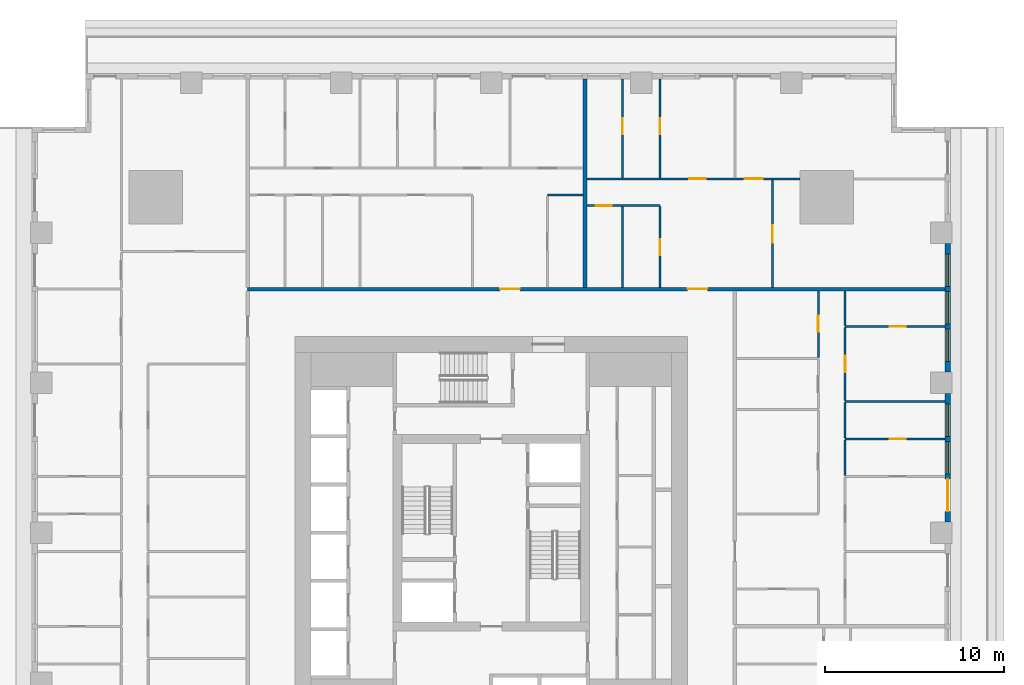
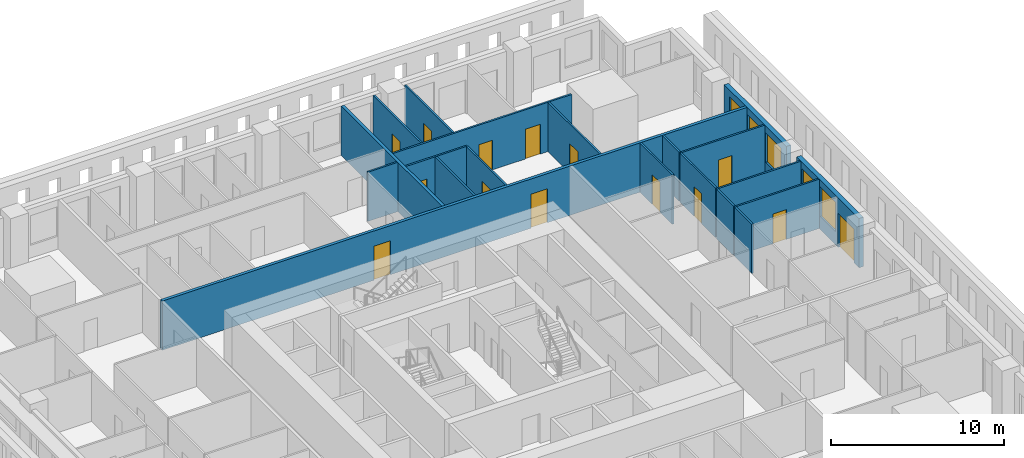
# One storey, part 9 of 15: 20 walls, 14 doors, 5 windows, 19 openings.
"""IFC4 building model written with IfcOpenShell, lengths in metres."""

from ifc_helpers import new_model, si_unit, direction, frame, frame_2d, origin, place, context, subcontext, project, spatial, rectangle, extrude, material, layer, layer_set, type_object, element, fill, save


model = new_model("IFC4")

# Units and contexts
model_context = context("Model", 3, precision=1e-05, world=origin(), true_north=direction((0.0, 1.0)))
body_context = subcontext(model_context, "Body", "Model", "MODEL_VIEW")
ifc_project = project(units=[si_unit("LENGTHUNIT", "METRE"), si_unit("AREAUNIT", "SQUARE_METRE"), si_unit("VOLUMEUNIT", "CUBIC_METRE"), si_unit("PLANEANGLEUNIT", "RADIAN"), si_unit("MASSUNIT", "GRAM", prefix="KILO")], contexts=[model_context])

# Site, building, storey
site_placement = place(None, origin())
site = spatial("IfcSite", under=ifc_project, at=site_placement, CompositionType="ELEMENT")
building_placement = place(site_placement, origin())
building = spatial("IfcBuilding", under=site, at=building_placement, Name="Khepri Terraces", CompositionType="ELEMENT")
storey_placement = place(building_placement, frame((0.0, 0.0, 30.89990234375)))
storey = spatial("IfcBuildingStorey", under=building, at=storey_placement, Name="L06", CompositionType="ELEMENT", Elevation=30.89990234375)

# Wall, openings, doors
ifc_material_1 = material(Name="Fire-rated gypsum plasterboard partition, mineral wool")
ifc_layer_1 = layer(ifc_material_1, 0.199951171875, Name="Fire-rated gypsum plasterboard partition, mineral wool")
ifc_layer_set_1 = layer_set([ifc_layer_1], Name="Fire-rated gypsum plasterboard partition, mineral wool")
wall_type_1 = type_object("IfcWallType", Name="WL-CORR-200", PredefinedType="PARTITIONING", material=ifc_layer_set_1)
wall_1_placement = place(storey_placement, frame((-13.64990234375, 13.64990234375, 0.0), z_axis=(0.0, 0.0, 1.0), x_axis=(1.0, 0.0, 0.0)))
wall_1 = element("IfcWall", 1, at=wall_1_placement, inside=storey, type_object=wall_type_1, Name="Partition P-084 L06", PredefinedType="PARTITIONING", context=body_context, shape_type="SweptSolid", body=[
    extrude(rectangle(XDim=39.06982421875, YDim=0.199951171875, at=frame_2d((19.534912109375, 0.0))), origin(), (0.0, 0.0, 1.0), 3.47998046875),
])
opening_1_placement = place(wall_1_placement, frame((24.64990234375, 0.0, 0.0)))
opening_1 = element("IfcOpeningElement", 2, at=opening_1_placement, cuts=wall_1, Name="Opening D1", PredefinedType="OPENING", context=body_context, shape_type="SweptSolid", body=[
    extrude(rectangle(XDim=1.10009765625, YDim=2.39990234375, at=frame_2d((0.550048828125, 1.199951171875))), frame((0.0, 0.10986328125, 0.0), z_axis=(0.0, -1.0, 0.0), x_axis=(1.0, 0.0, 0.0)), (0.0, 0.0, 1.0), 0.219970703125),
])
opening_2_placement = place(wall_1_placement, frame((14.14990234375, 0.0, 0.0)))
opening_2 = element("IfcOpeningElement", 3, at=opening_2_placement, cuts=wall_1, Name="Opening D1", PredefinedType="OPENING", context=body_context, shape_type="SweptSolid", body=[
    extrude(rectangle(XDim=1.10009765625, YDim=2.39990234375, at=frame_2d((0.550048828125, 1.199951171875))), frame((0.0, 0.10986328125, 0.0), z_axis=(0.0, -1.0, 0.0), x_axis=(1.0, 0.0, 0.0)), (0.0, 0.0, 1.0), 0.219970703125),
])
ifc_material_2 = material(Name="Solid-core timber door leaf, flat entrance door", Category="wood")
door_type_1 = type_object("IfcDoorType", Name="DR-ENT-1100", OperationType="NOTDEFINED", PredefinedType="DOOR", material=ifc_material_2)
door_1_placement = place(opening_1_placement, origin())
door_1 = element("IfcDoor", 4, at=door_1_placement, inside=storey, type_object=door_type_1, Name="Flat C1 entrance door", OperationType="SINGLE_SWING_RIGHT", OverallHeight=2.39990234375, OverallWidth=1.10009765625, PredefinedType="DOOR", context=body_context, shape_type="SweptSolid", body=[
    extrude(rectangle(XDim=1.10009765625, YDim=2.39990234375, at=frame_2d((0.550048828125, 1.199951171875))), frame((0.0, 0.02490234375, 0.0), z_axis=(0.0, -1.0, 0.0), x_axis=(1.0, 0.0, 0.0)), (0.0, 0.0, 1.0), 0.050048828125),
])
fill(opening_1, door_1)
door_2_placement = place(opening_2_placement, origin())
door_2 = element("IfcDoor", 5, at=door_2_placement, inside=storey, type_object=door_type_1, Name="Flat C2 entrance door", OperationType="SINGLE_SWING_LEFT", OverallHeight=2.39990234375, OverallWidth=1.10009765625, PredefinedType="DOOR", context=body_context, shape_type="SweptSolid", body=[
    extrude(rectangle(XDim=1.10009765625, YDim=2.39990234375, at=frame_2d((0.550048828125, 1.199951171875))), frame((0.0, 0.02490234375, 0.0), z_axis=(0.0, -1.0, 0.0), x_axis=(1.0, 0.0, 0.0)), (0.0, 0.0, 1.0), 0.050048828125),
])
fill(opening_2, door_2)

# Wall
wall_2_placement = place(storey_placement, frame((5.25, 13.75, 0.0), z_axis=(0.0, 0.0, 1.0), x_axis=(0.0, 1.0, 0.0)))
element("IfcWall", 6, at=wall_2_placement, inside=storey, type_object=wall_type_1, Name="Partition P-092 L06", PredefinedType="PARTITIONING", context=body_context, shape_type="SweptSolid", body=[
    extrude(rectangle(XDim=11.669921875, YDim=0.199951171875, at=frame_2d((5.8349609375, 0.0))), origin(), (0.0, 0.0, 1.0), 3.47998046875),
])

# Wall, openings, door, windows
ifc_material_3 = material(Name="Precast concrete C50/60 warm stone", Category="masonry")
ifc_layer_2 = layer(ifc_material_3, 0.300048828125, Name="Precast concrete C50/60 warm stone", Category="masonry")
ifc_layer_set_2 = layer_set([ifc_layer_2], Name="Precast concrete C50/60 warm stone")
wall_type_2 = type_object("IfcWallType", Name="WL-EXT-PRECAST-300", PredefinedType="STANDARD", material=ifc_layer_set_2)
wall_3_placement = place(storey_placement, frame((25.570068359375, 0.60009765625, 0.0), z_axis=(0.0, 0.0, 1.0), x_axis=(0.0, 1.0, 0.0)))
wall_3 = element("IfcWall", 7, at=wall_3_placement, inside=storey, type_object=wall_type_2, Name="External wall L06 E", PredefinedType="STANDARD", context=body_context, shape_type="SweptSolid", body=[
    extrude(rectangle(XDim=7.199951171875, YDim=0.300048828125, at=frame_2d((3.60009765625, 0.0))), origin(), (0.0, 0.0, 1.0), 3.47998046875),
])
opening_3_placement = place(wall_3_placement, frame((0.60009765625, 0.0, 0.0)))
opening_3 = element("IfcOpeningElement", 8, at=opening_3_placement, cuts=wall_3, Name="Opening ED-L06-05", PredefinedType="OPENING", context=body_context, shape_type="SweptSolid", body=[
    extrude(rectangle(XDim=1.800048828125, YDim=2.39990234375, at=frame_2d((0.89990234375, 1.199951171875))), frame((0.0, 0.16015625, 0.0), z_axis=(0.0, -1.0, 0.0), x_axis=(1.0, 0.0, 0.0)), (0.0, 0.0, 1.0), 0.320068359375),
])
opening_4_placement = place(wall_3_placement, frame((2.699951171875, 0.0, 0.89990234375)))
opening_4 = element("IfcOpeningElement", 9, at=opening_4_placement, cuts=wall_3, Name="Opening W1", PredefinedType="OPENING", context=body_context, shape_type="SweptSolid", body=[
    extrude(rectangle(XDim=1.800048828125, YDim=2.10009765625, at=frame_2d((0.89990234375, 1.050048828125))), frame((0.0, 0.16015625, 0.0), z_axis=(0.0, -1.0, 0.0), x_axis=(1.0, 0.0, 0.0)), (0.0, 0.0, 1.0), 0.320068359375),
])
opening_5_placement = place(wall_3_placement, frame((4.800048828125, 0.0, 0.89990234375)))
opening_5 = element("IfcOpeningElement", 10, at=opening_5_placement, cuts=wall_3, Name="Opening W1", PredefinedType="OPENING", context=body_context, shape_type="SweptSolid", body=[
    extrude(rectangle(XDim=1.800048828125, YDim=2.10009765625, at=frame_2d((0.89990234375, 1.050048828125))), frame((0.0, 0.16015625, 0.0), z_axis=(0.0, -1.0, 0.0), x_axis=(1.0, 0.0, 0.0)), (0.0, 0.0, 1.0), 0.320068359375),
])
ifc_material_4 = material(Name="Anodised aluminium bronze glazed door", Category="aluminium")
door_type_2 = type_object("IfcDoorType", Name="DR-BAL-SLIDE-1800x2400", OperationType="NOTDEFINED", PredefinedType="DOOR", material=ifc_material_4)
door_3_placement = place(opening_3_placement, origin())
door_3 = element("IfcDoor", 11, at=door_3_placement, inside=storey, type_object=door_type_2, Name="Balcony door L06 E", OperationType="SLIDING_TO_LEFT", OverallHeight=2.39990234375, OverallWidth=1.800048828125, PredefinedType="DOOR", context=body_context, shape_type="SweptSolid", body=[
    extrude(rectangle(XDim=1.800048828125, YDim=2.39990234375, at=frame_2d((0.89990234375, 1.199951171875))), frame((0.0, 0.02490234375, 0.0), z_axis=(0.0, -1.0, 0.0), x_axis=(1.0, 0.0, 0.0)), (0.0, 0.0, 1.0), 0.050048828125),
])
fill(opening_3, door_3)
ifc_material_5 = material(Name="Clear glass", Category="glass")
window_type = type_object("IfcWindowType", Name="WIN-RES-1800x2100", PartitioningType="SINGLE_PANEL", PredefinedType="WINDOW", material=ifc_material_5)
window_1_placement = place(opening_4_placement, origin())
window_1 = element("IfcWindow", 12, at=window_1_placement, inside=storey, type_object=window_type, Name="Window L06 E", OverallHeight=2.10009765625, OverallWidth=1.800048828125, PartitioningType="SINGLE_PANEL", PredefinedType="WINDOW", context=body_context, shape_type="SweptSolid", body=[
    extrude(rectangle(XDim=1.800048828125, YDim=2.10009765625, at=frame_2d((0.89990234375, 1.050048828125))), frame((0.0, 0.030029296875, 0.0), z_axis=(0.0, -1.0, 0.0), x_axis=(1.0, 0.0, 0.0)), (0.0, 0.0, 1.0), 0.06005859375),
])
fill(opening_4, window_1)
window_2_placement = place(opening_5_placement, origin())
window_2 = element("IfcWindow", 13, at=window_2_placement, inside=storey, type_object=window_type, Name="Window L06 E", OverallHeight=2.10009765625, OverallWidth=1.800048828125, PartitioningType="SINGLE_PANEL", PredefinedType="WINDOW", context=body_context, shape_type="SweptSolid", body=[
    extrude(rectangle(XDim=1.800048828125, YDim=2.10009765625, at=frame_2d((0.89990234375, 1.050048828125))), frame((0.0, 0.030029296875, 0.0), z_axis=(0.0, -1.0, 0.0), x_axis=(1.0, 0.0, 0.0)), (0.0, 0.0, 1.0), 0.06005859375),
])
fill(opening_5, window_2)

# Wall, openings, windows
wall_4_placement = place(storey_placement, frame((25.570068359375, 9.0, 0.0), z_axis=(0.0, 0.0, 1.0), x_axis=(0.0, 1.0, 0.0)))
wall_4 = element("IfcWall", 14, at=wall_4_placement, inside=storey, type_object=wall_type_2, Name="External wall L06 E", PredefinedType="STANDARD", context=body_context, shape_type="SweptSolid", body=[
    extrude(rectangle(XDim=7.199951171875, YDim=0.300048828125, at=frame_2d((3.60009765625, 0.0))), origin(), (0.0, 0.0, 1.0), 3.47998046875),
])
opening_6_placement = place(wall_4_placement, frame((0.60009765625, 0.0, 0.89990234375)))
opening_6 = element("IfcOpeningElement", 15, at=opening_6_placement, cuts=wall_4, Name="Opening W1", PredefinedType="OPENING", context=body_context, shape_type="SweptSolid", body=[
    extrude(rectangle(XDim=1.800048828125, YDim=2.10009765625, at=frame_2d((0.89990234375, 1.050048828125))), frame((0.0, 0.16015625, 0.0), z_axis=(0.0, -1.0, 0.0), x_axis=(1.0, 0.0, 0.0)), (0.0, 0.0, 1.0), 0.320068359375),
])
opening_7_placement = place(wall_4_placement, frame((2.699951171875, 0.0, 0.89990234375)))
opening_7 = element("IfcOpeningElement", 16, at=opening_7_placement, cuts=wall_4, Name="Opening W1", PredefinedType="OPENING", context=body_context, shape_type="SweptSolid", body=[
    extrude(rectangle(XDim=1.800048828125, YDim=2.10009765625, at=frame_2d((0.89990234375, 1.050048828125))), frame((0.0, 0.16015625, 0.0), z_axis=(0.0, -1.0, 0.0), x_axis=(1.0, 0.0, 0.0)), (0.0, 0.0, 1.0), 0.320068359375),
])
opening_8_placement = place(wall_4_placement, frame((4.800048828125, 0.0, 0.89990234375)))
opening_8 = element("IfcOpeningElement", 17, at=opening_8_placement, cuts=wall_4, Name="Opening W1", PredefinedType="OPENING", context=body_context, shape_type="SweptSolid", body=[
    extrude(rectangle(XDim=1.800048828125, YDim=2.10009765625, at=frame_2d((0.89990234375, 1.050048828125))), frame((0.0, 0.16015625, 0.0), z_axis=(0.0, -1.0, 0.0), x_axis=(1.0, 0.0, 0.0)), (0.0, 0.0, 1.0), 0.320068359375),
])
window_3_placement = place(opening_6_placement, origin())
window_3 = element("IfcWindow", 18, at=window_3_placement, inside=storey, type_object=window_type, Name="Window L06 E", OverallHeight=2.10009765625, OverallWidth=1.800048828125, PartitioningType="SINGLE_PANEL", PredefinedType="WINDOW", context=body_context, shape_type="SweptSolid", body=[
    extrude(rectangle(XDim=1.800048828125, YDim=2.10009765625, at=frame_2d((0.89990234375, 1.050048828125))), frame((0.0, 0.030029296875, 0.0), z_axis=(0.0, -1.0, 0.0), x_axis=(1.0, 0.0, 0.0)), (0.0, 0.0, 1.0), 0.06005859375),
])
fill(opening_6, window_3)
window_4_placement = place(opening_7_placement, origin())
window_4 = element("IfcWindow", 19, at=window_4_placement, inside=storey, type_object=window_type, Name="Window L06 E", OverallHeight=2.10009765625, OverallWidth=1.800048828125, PartitioningType="SINGLE_PANEL", PredefinedType="WINDOW", context=body_context, shape_type="SweptSolid", body=[
    extrude(rectangle(XDim=1.800048828125, YDim=2.10009765625, at=frame_2d((0.89990234375, 1.050048828125))), frame((0.0, 0.030029296875, 0.0), z_axis=(0.0, -1.0, 0.0), x_axis=(1.0, 0.0, 0.0)), (0.0, 0.0, 1.0), 0.06005859375),
])
fill(opening_7, window_4)
window_5_placement = place(opening_8_placement, origin())
window_5 = element("IfcWindow", 20, at=window_5_placement, inside=storey, type_object=window_type, Name="Window L06 E", OverallHeight=2.10009765625, OverallWidth=1.800048828125, PartitioningType="SINGLE_PANEL", PredefinedType="WINDOW", context=body_context, shape_type="SweptSolid", body=[
    extrude(rectangle(XDim=1.800048828125, YDim=2.10009765625, at=frame_2d((0.89990234375, 1.050048828125))), frame((0.0, 0.030029296875, 0.0), z_axis=(0.0, -1.0, 0.0), x_axis=(1.0, 0.0, 0.0)), (0.0, 0.0, 1.0), 0.06005859375),
])
fill(opening_8, window_5)

# Wall
ifc_material_6 = material(Name="Gypsum plasterboard partition")
ifc_layer_3 = layer(ifc_material_6, 0.1201171875, Name="Gypsum plasterboard partition")
ifc_layer_set_3 = layer_set([ifc_layer_3], Name="Gypsum plasterboard partition")
wall_type_3 = type_object("IfcWallType", Name="WL-PART-120", PredefinedType="PARTITIONING", material=ifc_layer_set_3)
wall_5_placement = place(storey_placement, frame((19.820068359375, 3.2099609375, 0.0), z_axis=(0.0, 0.0, 1.0), x_axis=(0.0, 1.0, 0.0)))
element("IfcWall", 21, at=wall_5_placement, inside=storey, type_object=wall_type_3, Name="Partition P-069 L06", PredefinedType="PARTITIONING", context=body_context, shape_type="SweptSolid", body=[
    extrude(rectangle(XDim=1.97998046875, YDim=0.1201171875, at=frame_2d((0.989990234375, 0.0))), origin(), (0.0, 0.0, 1.0), 3.47998046875),
])

# Wall, opening, door
wall_6_placement = place(storey_placement, frame((19.820068359375, 5.25, 0.0), z_axis=(0.0, 0.0, 1.0), x_axis=(1.0, 0.0, 0.0)))
wall_6 = element("IfcWall", 22, at=wall_6_placement, inside=storey, type_object=wall_type_3, Name="Partition P-070 L06", PredefinedType="PARTITIONING", context=body_context, shape_type="SweptSolid", body=[
    extrude(rectangle(XDim=5.599853515625, YDim=0.1201171875, at=frame_2d((2.7998046875, 0.0))), origin(), (0.0, 0.0, 1.0), 3.47998046875),
])
opening_9_placement = place(wall_6_placement, frame((2.5, 0.0, 0.0)))
opening_9 = element("IfcOpeningElement", 23, at=opening_9_placement, cuts=wall_6, Name="Opening D4", PredefinedType="OPENING", context=body_context, shape_type="SweptSolid", body=[
    extrude(rectangle(XDim=0.89990234375, YDim=2.10009765625, at=frame_2d((0.449951171875, 1.050048828125))), frame((0.0, 0.070068359375, 0.0), z_axis=(0.0, -1.0, 0.0), x_axis=(1.0, 0.0, 0.0)), (0.0, 0.0, 1.0), 0.14013671875),
])
ifc_material_7 = material(Name="Timber door leaf, moisture resistant", Category="wood")
door_type_3 = type_object("IfcDoorType", Name="DR-WET-900", OperationType="NOTDEFINED", PredefinedType="DOOR", material=ifc_material_7)
door_4_placement = place(opening_9_placement, origin())
door_4 = element("IfcDoor", 24, at=door_4_placement, inside=storey, type_object=door_type_3, Name="Door Bathroom", OperationType="SINGLE_SWING_RIGHT", OverallHeight=2.10009765625, OverallWidth=0.89990234375, PredefinedType="DOOR", context=body_context, shape_type="SweptSolid", body=[
    extrude(rectangle(XDim=0.89990234375, YDim=2.10009765625, at=frame_2d((0.449951171875, 1.050048828125))), frame((0.0, 0.02490234375, 0.0), z_axis=(0.0, -1.0, 0.0), x_axis=(1.0, 0.0, 0.0)), (0.0, 0.0, 1.0), 0.050048828125),
])
fill(opening_9, door_4)

# Walls
wall_7_placement = place(storey_placement, frame((19.820068359375, 5.31005859375, 0.0), z_axis=(0.0, 0.0, 1.0), x_axis=(0.0, 1.0, 0.0)))
element("IfcWall", 25, at=wall_7_placement, inside=storey, type_object=wall_type_3, Name="Partition P-071 L06", PredefinedType="PARTITIONING", context=body_context, shape_type="SweptSolid", body=[
    extrude(rectangle(XDim=1.97998046875, YDim=0.1201171875, at=frame_2d((0.989990234375, 0.0))), origin(), (0.0, 0.0, 1.0), 3.47998046875),
])
wall_8_placement = place(storey_placement, frame((19.820068359375, 7.35009765625, 0.0), z_axis=(0.0, 0.0, 1.0), x_axis=(1.0, 0.0, 0.0)))
element("IfcWall", 26, at=wall_8_placement, inside=storey, type_object=wall_type_3, Name="Partition P-074 L06", PredefinedType="PARTITIONING", context=body_context, shape_type="SweptSolid", body=[
    extrude(rectangle(XDim=5.599853515625, YDim=0.1201171875, at=frame_2d((2.7998046875, 0.0))), origin(), (0.0, 0.0, 1.0), 3.47998046875),
])

# Wall, opening, door
wall_9_placement = place(storey_placement, frame((19.820068359375, 7.409912109375, 0.0), z_axis=(0.0, 0.0, 1.0), x_axis=(0.0, 1.0, 0.0)))
wall_9 = element("IfcWall", 27, at=wall_9_placement, inside=storey, type_object=wall_type_3, Name="Partition P-075 L06", PredefinedType="PARTITIONING", context=body_context, shape_type="SweptSolid", body=[
    extrude(rectangle(XDim=4.080078125, YDim=0.1201171875, at=frame_2d((2.0400390625, 0.0))), origin(), (0.0, 0.0, 1.0), 3.47998046875),
])
opening_10_placement = place(wall_9_placement, frame((1.590087890625, 0.0, 0.0)))
opening_10 = element("IfcOpeningElement", 28, at=opening_10_placement, cuts=wall_9, Name="Opening D3", PredefinedType="OPENING", context=body_context, shape_type="SweptSolid", body=[
    extrude(rectangle(XDim=0.89990234375, YDim=2.10009765625, at=frame_2d((0.449951171875, 1.050048828125))), frame((0.0, 0.070068359375, 0.0), z_axis=(0.0, -1.0, 0.0), x_axis=(1.0, 0.0, 0.0)), (0.0, 0.0, 1.0), 0.14013671875),
])
ifc_material_8 = material(Name="Timber door leaf", Category="wood")
door_type_4 = type_object("IfcDoorType", Name="DR-INT-900", OperationType="NOTDEFINED", PredefinedType="DOOR", material=ifc_material_8)
door_5_placement = place(opening_10_placement, frame((0.89990234375, 0.0, 0.0), z_axis=(0.0, 0.0, 1.0), x_axis=(-1.0, 0.0, 0.0)))
door_5 = element("IfcDoor", 29, at=door_5_placement, inside=storey, type_object=door_type_4, Name="Door Bedroom", OperationType="SINGLE_SWING_RIGHT", OverallHeight=2.10009765625, OverallWidth=0.89990234375, PredefinedType="DOOR", context=body_context, shape_type="SweptSolid", body=[
    extrude(rectangle(XDim=0.89990234375, YDim=2.10009765625, at=frame_2d((0.449951171875, 1.050048828125))), frame((0.0, 0.02490234375, 0.0), z_axis=(0.0, -1.0, 0.0), x_axis=(1.0, 0.0, 0.0)), (0.0, 0.0, 1.0), 0.050048828125),
])
fill(opening_10, door_5)

wall_10_placement = place(storey_placement, frame((18.320068359375, 9.81005859375, 0.0), z_axis=(0.0, 0.0, 1.0), x_axis=(0.0, 1.0, 0.0)))
wall_10 = element("IfcWall", 30, at=wall_10_placement, inside=storey, type_object=wall_type_3, Name="Partition P-080 L06", PredefinedType="PARTITIONING", context=body_context, shape_type="SweptSolid", body=[
    extrude(rectangle(XDim=3.739990234375, YDim=0.1201171875, at=frame_2d((1.8701171875, 0.0))), origin(), (0.0, 0.0, 1.0), 3.47998046875),
])
opening_11_placement = place(wall_10_placement, frame((1.43994140625, 0.0, 0.0)))
opening_11 = element("IfcOpeningElement", 31, at=opening_11_placement, cuts=wall_10, Name="Opening D4", PredefinedType="OPENING", context=body_context, shape_type="SweptSolid", body=[
    extrude(rectangle(XDim=0.89990234375, YDim=2.10009765625, at=frame_2d((0.449951171875, 1.050048828125))), frame((0.0, 0.070068359375, 0.0), z_axis=(0.0, -1.0, 0.0), x_axis=(1.0, 0.0, 0.0)), (0.0, 0.0, 1.0), 0.14013671875),
])
door_6_placement = place(opening_11_placement, origin())
door_6 = element("IfcDoor", 32, at=door_6_placement, inside=storey, type_object=door_type_3, Name="Door Guest Bathroom", OperationType="SINGLE_SWING_RIGHT", OverallHeight=2.10009765625, OverallWidth=0.89990234375, PredefinedType="DOOR", context=body_context, shape_type="SweptSolid", body=[
    extrude(rectangle(XDim=0.89990234375, YDim=2.10009765625, at=frame_2d((0.449951171875, 1.050048828125))), frame((0.0, 0.02490234375, 0.0), z_axis=(0.0, -1.0, 0.0), x_axis=(1.0, 0.0, 0.0)), (0.0, 0.0, 1.0), 0.050048828125),
])
fill(opening_11, door_6)

wall_11_placement = place(storey_placement, frame((19.820068359375, 11.550048828125, 0.0), z_axis=(0.0, 0.0, 1.0), x_axis=(1.0, 0.0, 0.0)))
wall_11 = element("IfcWall", 33, at=wall_11_placement, inside=storey, type_object=wall_type_3, Name="Partition P-081 L06", PredefinedType="PARTITIONING", context=body_context, shape_type="SweptSolid", body=[
    extrude(rectangle(XDim=5.599853515625, YDim=0.1201171875, at=frame_2d((2.7998046875, 0.0))), origin(), (0.0, 0.0, 1.0), 3.47998046875),
])
opening_12_placement = place(wall_11_placement, frame((2.5, 0.0, 0.0)))
opening_12 = element("IfcOpeningElement", 34, at=opening_12_placement, cuts=wall_11, Name="Opening D4", PredefinedType="OPENING", context=body_context, shape_type="SweptSolid", body=[
    extrude(rectangle(XDim=0.89990234375, YDim=2.10009765625, at=frame_2d((0.449951171875, 1.050048828125))), frame((0.0, 0.070068359375, 0.0), z_axis=(0.0, -1.0, 0.0), x_axis=(1.0, 0.0, 0.0)), (0.0, 0.0, 1.0), 0.14013671875),
])
door_7_placement = place(opening_12_placement, origin())
door_7 = element("IfcDoor", 35, at=door_7_placement, inside=storey, type_object=door_type_3, Name="Door Bathroom", OperationType="SINGLE_SWING_RIGHT", OverallHeight=2.10009765625, OverallWidth=0.89990234375, PredefinedType="DOOR", context=body_context, shape_type="SweptSolid", body=[
    extrude(rectangle(XDim=0.89990234375, YDim=2.10009765625, at=frame_2d((0.449951171875, 1.050048828125))), frame((0.0, 0.02490234375, 0.0), z_axis=(0.0, -1.0, 0.0), x_axis=(1.0, 0.0, 0.0)), (0.0, 0.0, 1.0), 0.050048828125),
])
fill(opening_12, door_7)

# Walls
wall_12_placement = place(storey_placement, frame((19.820068359375, 11.610107421875, 0.0), z_axis=(0.0, 0.0, 1.0), x_axis=(0.0, 1.0, 0.0)))
element("IfcWall", 36, at=wall_12_placement, inside=storey, type_object=wall_type_3, Name="Partition P-082 L06", PredefinedType="PARTITIONING", context=body_context, shape_type="SweptSolid", body=[
    extrude(rectangle(XDim=1.93994140625, YDim=0.1201171875, at=frame_2d((0.969970703125, 0.0))), origin(), (0.0, 0.0, 1.0), 3.47998046875),
])
wall_13_placement = place(storey_placement, frame((7.35009765625, 13.75, 0.0), z_axis=(0.0, 0.0, 1.0), x_axis=(0.0, 1.0, 0.0)))
element("IfcWall", 37, at=wall_13_placement, inside=storey, type_object=wall_type_3, Name="Partition P-093 L06", PredefinedType="PARTITIONING", context=body_context, shape_type="SweptSolid", body=[
    extrude(rectangle(XDim=4.510009765625, YDim=0.1201171875, at=frame_2d((2.2548828125, 0.0))), origin(), (0.0, 0.0, 1.0), 3.47998046875),
])

# Wall, opening, door
wall_14_placement = place(storey_placement, frame((9.449951171875, 13.75, 0.0), z_axis=(0.0, 0.0, 1.0), x_axis=(0.0, 1.0, 0.0)))
wall_14 = element("IfcWall", 38, at=wall_14_placement, inside=storey, type_object=wall_type_3, Name="Partition P-094 L06", PredefinedType="PARTITIONING", context=body_context, shape_type="SweptSolid", body=[
    extrude(rectangle(XDim=4.510009765625, YDim=0.1201171875, at=frame_2d((2.2548828125, 0.0))), origin(), (0.0, 0.0, 1.0), 3.47998046875),
])
opening_13_placement = place(wall_14_placement, frame((1.784912109375, 0.0, 0.0)))
opening_13 = element("IfcOpeningElement", 39, at=opening_13_placement, cuts=wall_14, Name="Opening D4", PredefinedType="OPENING", context=body_context, shape_type="SweptSolid", body=[
    extrude(rectangle(XDim=0.89990234375, YDim=2.10009765625, at=frame_2d((0.449951171875, 1.050048828125))), frame((0.0, 0.070068359375, 0.0), z_axis=(0.0, -1.0, 0.0), x_axis=(1.0, 0.0, 0.0)), (0.0, 0.0, 1.0), 0.14013671875),
])
door_8_placement = place(opening_13_placement, origin())
door_8 = element("IfcDoor", 40, at=door_8_placement, inside=storey, type_object=door_type_3, Name="Door Guest Bathroom", OperationType="SINGLE_SWING_LEFT", OverallHeight=2.10009765625, OverallWidth=0.89990234375, PredefinedType="DOOR", context=body_context, shape_type="SweptSolid", body=[
    extrude(rectangle(XDim=0.89990234375, YDim=2.10009765625, at=frame_2d((0.449951171875, 1.050048828125))), frame((0.0, 0.02490234375, 0.0), z_axis=(0.0, -1.0, 0.0), x_axis=(1.0, 0.0, 0.0)), (0.0, 0.0, 1.0), 0.050048828125),
])
fill(opening_13, door_8)

wall_15_placement = place(storey_placement, frame((15.75, 13.75, 0.0), z_axis=(0.0, 0.0, 1.0), x_axis=(0.0, 1.0, 0.0)))
wall_15 = element("IfcWall", 41, at=wall_15_placement, inside=storey, type_object=wall_type_3, Name="Partition P-095 L06", PredefinedType="PARTITIONING", context=body_context, shape_type="SweptSolid", body=[
    extrude(rectangle(XDim=6.010009765625, YDim=0.1201171875, at=frame_2d((3.0048828125, 0.0))), origin(), (0.0, 0.0, 1.0), 3.47998046875),
])
opening_14_placement = place(wall_15_placement, frame((2.485107421875, 0.0, 0.0)))
opening_14 = element("IfcOpeningElement", 42, at=opening_14_placement, cuts=wall_15, Name="Opening D2", PredefinedType="OPENING", context=body_context, shape_type="SweptSolid", body=[
    extrude(rectangle(XDim=1.0, YDim=2.10009765625, at=frame_2d((0.5, 1.050048828125))), frame((0.0, 0.070068359375, 0.0), z_axis=(0.0, -1.0, 0.0), x_axis=(1.0, 0.0, 0.0)), (0.0, 0.0, 1.0), 0.14013671875),
])
ifc_material_9 = material(Name="Timber door leaf, living room door", Category="wood")
door_type_5 = type_object("IfcDoorType", Name="DR-INT-1000", OperationType="NOTDEFINED", PredefinedType="DOOR", material=ifc_material_9)
door_9_placement = place(opening_14_placement, frame((1.0, 0.0, 0.0), z_axis=(0.0, 0.0, 1.0), x_axis=(-1.0, 0.0, 0.0)))
door_9 = element("IfcDoor", 43, at=door_9_placement, inside=storey, type_object=door_type_5, Name="Door Family Room", OperationType="SINGLE_SWING_RIGHT", OverallHeight=2.10009765625, OverallWidth=1.0, PredefinedType="DOOR", context=body_context, shape_type="SweptSolid", body=[
    extrude(rectangle(XDim=1.0, YDim=2.10009765625, at=frame_2d((0.5, 1.050048828125))), frame((0.0, 0.02490234375, 0.0), z_axis=(0.0, -1.0, 0.0), x_axis=(1.0, 0.0, 0.0)), (0.0, 0.0, 1.0), 0.050048828125),
])
fill(opening_14, door_9)

wall_16_placement = place(storey_placement, frame((5.35009765625, 18.320068359375, 0.0), z_axis=(0.0, 0.0, 1.0), x_axis=(1.0, 0.0, 0.0)))
wall_16 = element("IfcWall", 44, at=wall_16_placement, inside=storey, type_object=wall_type_3, Name="Partition P-098 L06", PredefinedType="PARTITIONING", context=body_context, shape_type="SweptSolid", body=[
    extrude(rectangle(XDim=4.099853515625, YDim=0.1201171875, at=frame_2d((2.0498046875, 0.0))), origin(), (0.0, 0.0, 1.0), 3.47998046875),
])
opening_15_placement = place(wall_16_placement, frame((0.5, 0.0, 0.0)))
opening_15 = element("IfcOpeningElement", 45, at=opening_15_placement, cuts=wall_16, Name="Opening D3", PredefinedType="OPENING", context=body_context, shape_type="SweptSolid", body=[
    extrude(rectangle(XDim=0.89990234375, YDim=2.10009765625, at=frame_2d((0.449951171875, 1.050048828125))), frame((0.0, 0.070068359375, 0.0), z_axis=(0.0, -1.0, 0.0), x_axis=(1.0, 0.0, 0.0)), (0.0, 0.0, 1.0), 0.14013671875),
])
door_10_placement = place(opening_15_placement, frame((0.89990234375, 0.0, 0.0), z_axis=(0.0, 0.0, 1.0), x_axis=(-1.0, 0.0, 0.0)))
door_10 = element("IfcDoor", 46, at=door_10_placement, inside=storey, type_object=door_type_4, Name="Door Kitchen", OperationType="SINGLE_SWING_RIGHT", OverallHeight=2.10009765625, OverallWidth=0.89990234375, PredefinedType="DOOR", context=body_context, shape_type="SweptSolid", body=[
    extrude(rectangle(XDim=0.89990234375, YDim=2.10009765625, at=frame_2d((0.449951171875, 1.050048828125))), frame((0.0, 0.02490234375, 0.0), z_axis=(0.0, -1.0, 0.0), x_axis=(1.0, 0.0, 0.0)), (0.0, 0.0, 1.0), 0.050048828125),
])
fill(opening_15, door_10)

# Wall
wall_17_placement = place(storey_placement, frame((3.14990234375, 18.919921875, 0.0), z_axis=(0.0, 0.0, 1.0), x_axis=(1.0, 0.0, 0.0)))
element("IfcWall", 47, at=wall_17_placement, inside=storey, type_object=wall_type_3, Name="Partition P-100 L06", PredefinedType="PARTITIONING", context=body_context, shape_type="SweptSolid", body=[
    extrude(rectangle(XDim=2.0, YDim=0.1201171875, at=frame_2d((1.0, 0.0))), origin(), (0.0, 0.0, 1.0), 3.47998046875),
])

# Wall, openings, doors
wall_18_placement = place(storey_placement, frame((5.35009765625, 19.820068359375, 0.0), z_axis=(0.0, 0.0, 1.0), x_axis=(1.0, 0.0, 0.0)))
wall_18 = element("IfcWall", 48, at=wall_18_placement, inside=storey, type_object=wall_type_3, Name="Partition P-101 L06", PredefinedType="PARTITIONING", context=body_context, shape_type="SweptSolid", body=[
    extrude(rectangle(XDim=11.949951171875, YDim=0.1201171875, at=frame_2d((5.97509765625, 0.0))), origin(), (0.0, 0.0, 1.0), 3.47998046875),
])
opening_16_placement = place(wall_18_placement, frame((8.85009765625, 0.0, 0.0)))
opening_16 = element("IfcOpeningElement", 49, at=opening_16_placement, cuts=wall_18, Name="Opening D2", PredefinedType="OPENING", context=body_context, shape_type="SweptSolid", body=[
    extrude(rectangle(XDim=1.0, YDim=2.10009765625, at=frame_2d((0.5, 1.050048828125))), frame((0.0, 0.070068359375, 0.0), z_axis=(0.0, -1.0, 0.0), x_axis=(1.0, 0.0, 0.0)), (0.0, 0.0, 1.0), 0.14013671875),
])
opening_17_placement = place(wall_18_placement, frame((5.75, 0.0, 0.0)))
opening_17 = element("IfcOpeningElement", 50, at=opening_17_placement, cuts=wall_18, Name="Opening D3", PredefinedType="OPENING", context=body_context, shape_type="SweptSolid", body=[
    extrude(rectangle(XDim=0.89990234375, YDim=2.10009765625, at=frame_2d((0.449951171875, 1.050048828125))), frame((0.0, 0.070068359375, 0.0), z_axis=(0.0, -1.0, 0.0), x_axis=(1.0, 0.0, 0.0)), (0.0, 0.0, 1.0), 0.14013671875),
])
door_11_placement = place(opening_16_placement, origin())
door_11 = element("IfcDoor", 51, at=door_11_placement, inside=storey, type_object=door_type_5, Name="Door Sun Lounge", OperationType="SINGLE_SWING_RIGHT", OverallHeight=2.10009765625, OverallWidth=1.0, PredefinedType="DOOR", context=body_context, shape_type="SweptSolid", body=[
    extrude(rectangle(XDim=1.0, YDim=2.10009765625, at=frame_2d((0.5, 1.050048828125))), frame((0.0, 0.02490234375, 0.0), z_axis=(0.0, -1.0, 0.0), x_axis=(1.0, 0.0, 0.0)), (0.0, 0.0, 1.0), 0.050048828125),
])
fill(opening_16, door_11)
door_12_placement = place(opening_17_placement, origin())
door_12 = element("IfcDoor", 52, at=door_12_placement, inside=storey, type_object=door_type_4, Name="Door Master Bedroom", OperationType="SINGLE_SWING_RIGHT", OverallHeight=2.10009765625, OverallWidth=0.89990234375, PredefinedType="DOOR", context=body_context, shape_type="SweptSolid", body=[
    extrude(rectangle(XDim=0.89990234375, YDim=2.10009765625, at=frame_2d((0.449951171875, 1.050048828125))), frame((0.0, 0.02490234375, 0.0), z_axis=(0.0, -1.0, 0.0), x_axis=(1.0, 0.0, 0.0)), (0.0, 0.0, 1.0), 0.050048828125),
])
fill(opening_17, door_12)

# Wall, opening, door
wall_19_placement = place(storey_placement, frame((7.35009765625, 19.8798828125, 0.0), z_axis=(0.0, 0.0, 1.0), x_axis=(0.0, 1.0, 0.0)))
wall_19 = element("IfcWall", 53, at=wall_19_placement, inside=storey, type_object=wall_type_3, Name="Partition P-103 L06", PredefinedType="PARTITIONING", context=body_context, shape_type="SweptSolid", body=[
    extrude(rectangle(XDim=5.5400390625, YDim=0.1201171875, at=frame_2d((2.77001953125, 0.0))), origin(), (0.0, 0.0, 1.0), 3.47998046875),
])
opening_18_placement = place(wall_19_placement, frame((2.43994140625, 0.0, 0.0)))
opening_18 = element("IfcOpeningElement", 54, at=opening_18_placement, cuts=wall_19, Name="Opening D4", PredefinedType="OPENING", context=body_context, shape_type="SweptSolid", body=[
    extrude(rectangle(XDim=0.89990234375, YDim=2.10009765625, at=frame_2d((0.449951171875, 1.050048828125))), frame((0.0, 0.070068359375, 0.0), z_axis=(0.0, -1.0, 0.0), x_axis=(1.0, 0.0, 0.0)), (0.0, 0.0, 1.0), 0.14013671875),
])
door_13_placement = place(opening_18_placement, origin())
door_13 = element("IfcDoor", 55, at=door_13_placement, inside=storey, type_object=door_type_3, Name="Door Bathroom", OperationType="SINGLE_SWING_RIGHT", OverallHeight=2.10009765625, OverallWidth=0.89990234375, PredefinedType="DOOR", context=body_context, shape_type="SweptSolid", body=[
    extrude(rectangle(XDim=0.89990234375, YDim=2.10009765625, at=frame_2d((0.449951171875, 1.050048828125))), frame((0.0, 0.02490234375, 0.0), z_axis=(0.0, -1.0, 0.0), x_axis=(1.0, 0.0, 0.0)), (0.0, 0.0, 1.0), 0.050048828125),
])
fill(opening_18, door_13)

wall_20_placement = place(storey_placement, frame((9.449951171875, 19.8798828125, 0.0), z_axis=(0.0, 0.0, 1.0), x_axis=(0.0, 1.0, 0.0)))
wall_20 = element("IfcWall", 56, at=wall_20_placement, inside=storey, type_object=wall_type_3, Name="Partition P-104 L06", PredefinedType="PARTITIONING", context=body_context, shape_type="SweptSolid", body=[
    extrude(rectangle(XDim=5.5400390625, YDim=0.1201171875, at=frame_2d((2.77001953125, 0.0))), origin(), (0.0, 0.0, 1.0), 3.47998046875),
])
opening_19_placement = place(wall_20_placement, frame((2.43994140625, 0.0, 0.0)))
opening_19 = element("IfcOpeningElement", 57, at=opening_19_placement, cuts=wall_20, Name="Opening D3", PredefinedType="OPENING", context=body_context, shape_type="SweptSolid", body=[
    extrude(rectangle(XDim=0.89990234375, YDim=2.10009765625, at=frame_2d((0.449951171875, 1.050048828125))), frame((0.0, 0.070068359375, 0.0), z_axis=(0.0, -1.0, 0.0), x_axis=(1.0, 0.0, 0.0)), (0.0, 0.0, 1.0), 0.14013671875),
])
door_14_placement = place(opening_19_placement, origin())
door_14 = element("IfcDoor", 58, at=door_14_placement, inside=storey, type_object=door_type_4, Name="Door Dressing Room", OperationType="SINGLE_SWING_RIGHT", OverallHeight=2.10009765625, OverallWidth=0.89990234375, PredefinedType="DOOR", context=body_context, shape_type="SweptSolid", body=[
    extrude(rectangle(XDim=0.89990234375, YDim=2.10009765625, at=frame_2d((0.449951171875, 1.050048828125))), frame((0.0, 0.02490234375, 0.0), z_axis=(0.0, -1.0, 0.0), x_axis=(1.0, 0.0, 0.0)), (0.0, 0.0, 1.0), 0.050048828125),
])
fill(opening_19, door_14)

save(model, "model.ifc")
